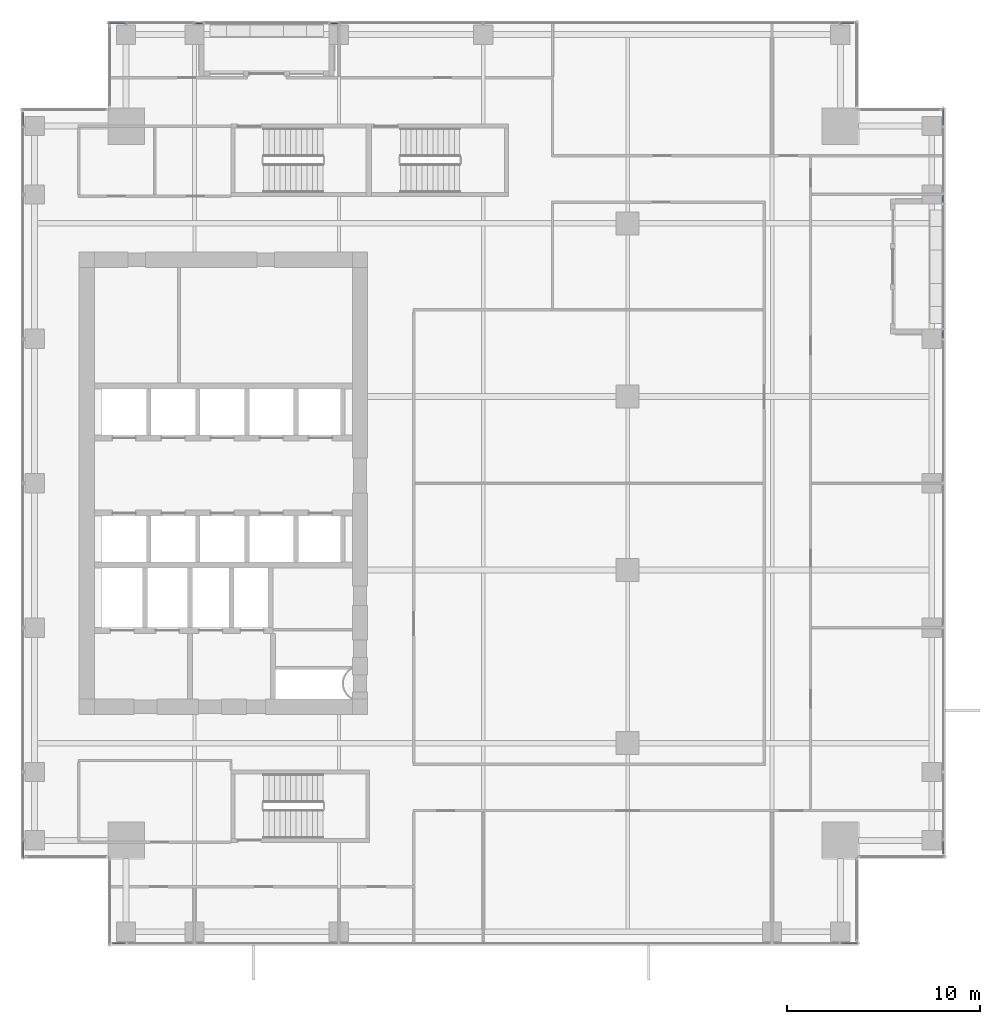
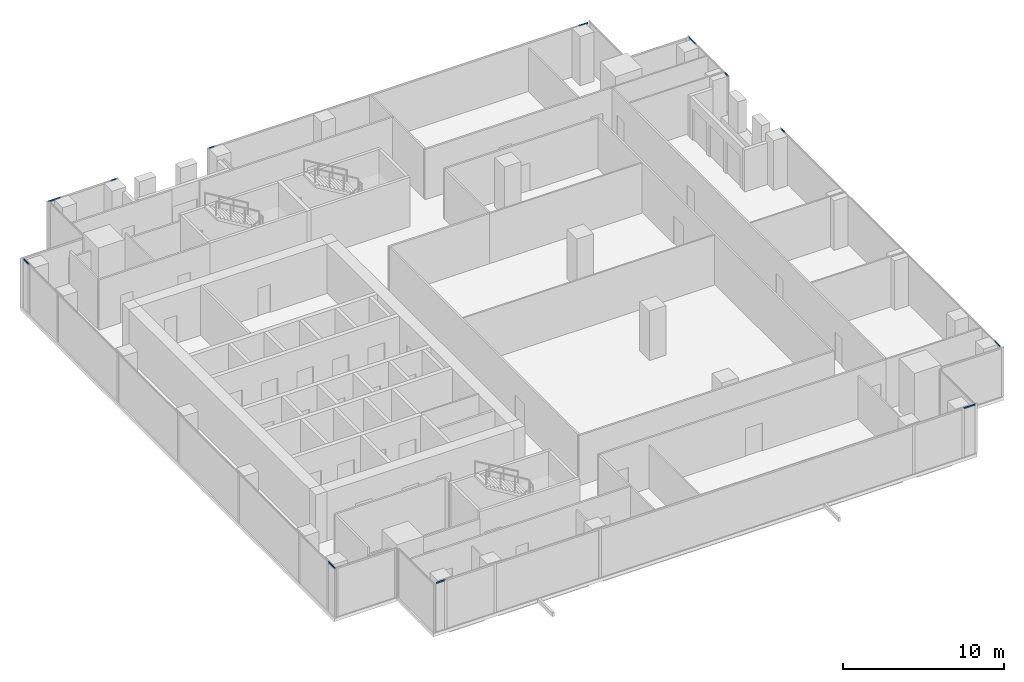
# One storey, part 28 of 40: 12 members, 6 elements without a shape of their own.
"""IFC4 building model written with IfcOpenShell, lengths in metres."""

from ifc_helpers import new_model, si_unit, direction, frame, origin, origin_2d, place, context, subcontext, project, spatial, hollow_rectangle, extrude, source, transform, mapped, material, material_profile, profile_set, type_object, element, aggregate, save


model = new_model("IFC4")

# Units and contexts
model_context = context("Model", 3, precision=1e-05, world=origin(), true_north=direction((0.0, 1.0)))
body_context = subcontext(model_context, "Body", "Model", "MODEL_VIEW")
ifc_project = project(units=[si_unit("LENGTHUNIT", "METRE"), si_unit("AREAUNIT", "SQUARE_METRE"), si_unit("VOLUMEUNIT", "CUBIC_METRE"), si_unit("PLANEANGLEUNIT", "RADIAN"), si_unit("MASSUNIT", "GRAM", prefix="KILO")], contexts=[model_context])

# Site, building, storey
site_placement = place(None, origin())
site = spatial("IfcSite", under=ifc_project, at=site_placement, CompositionType="ELEMENT")
building_placement = place(site_placement, origin())
building = spatial("IfcBuilding", under=site, at=building_placement, Name="Khomas Fold Tower", CompositionType="ELEMENT")
storey_placement = place(building_placement, frame((0.0, 0.0, 192.699951171875)))
storey = spatial("IfcBuildingStorey", under=building, at=storey_placement, Name="L42", CompositionType="ELEMENT", Elevation=192.699951171875)

# Curtain wall, member
ifc_material_1 = material(Name="Aluminium framed double glazing", Category="aluminium")
curtain_wall_type = type_object("IfcCurtainWallType", Name="SK-Unitised clear-glass wall, office floors CW2", PredefinedType="NOTDEFINED", material=ifc_material_1)
curtain_wall_1_placement = place(storey_placement, origin())
curtain_wall_1 = element("IfcCurtainWall", 1, at=curtain_wall_1_placement, inside=storey, type_object=curtain_wall_type, Name="CW2 run L42 00-0", PredefinedType="NOTDEFINED")
ifc_material_2 = material(Name="Aluminium", Category="aluminium")
ifc_material_profile = material_profile(ifc_material_2, hollow_rectangle(XDim=0.050048828125, YDim=0.110107421875, WallThickness=0.00390625, at=origin_2d()), Name="SK-Unitised clear-glass wall, office floors transom CW2-T")
ifc_profile_set = profile_set([ifc_material_profile], Name="Aluminium")
member_type = type_object("IfcMemberType", Name="SK-Unitised clear-glass wall, office floors transom CW2-T", PredefinedType="USERDEFINED", material=ifc_profile_set)
shared_shape_1 = source(origin(), body_context, "Body", "SweptSolid", [
    extrude(hollow_rectangle(XDim=0.050048828125, YDim=0.110107421875, WallThickness=0.00390625, at=origin_2d()), origin(), (0.0, 0.0, 1.0), 0.659912109375),
])
member_1_placement = place(storey_placement, frame((7.760009765625, 3.10009765625, 3.695068359375), z_axis=(1.0, 0.0, 0.0), x_axis=(0.0, 1.0, 0.0)))
member_1 = element("IfcMember", 2, at=member_1_placement, type_object=member_type, Name="CW2 transom 1", ObjectType="TRANSOM", PredefinedType="USERDEFINED", context=body_context, shape_type="MappedRepresentation", body=[
    mapped(shared_shape_1, transform((0.0, 0.0, 0.0))),
])

curtain_wall_2_placement = place(storey_placement, origin())
curtain_wall_2 = element("IfcCurtainWall", 3, at=curtain_wall_2_placement, inside=storey, type_object=curtain_wall_type, Name="CW2 run L42 03-0", PredefinedType="NOTDEFINED")
member_2_placement = place(storey_placement, frame((50.89990234375, 7.760009765625, 3.695068359375), z_axis=(0.0, 1.0, 0.0), x_axis=(-1.0, 0.0, 0.0)))
member_2 = element("IfcMember", 4, at=member_2_placement, type_object=member_type, Name="CW2 transom 1", ObjectType="TRANSOM", PredefinedType="USERDEFINED", context=body_context, shape_type="MappedRepresentation", body=[
    mapped(shared_shape_1, transform((0.0, 0.0, 0.0))),
])

curtain_wall_3_placement = place(storey_placement, origin())
curtain_wall_3 = element("IfcCurtainWall", 5, at=curtain_wall_3_placement, inside=storey, type_object=curtain_wall_type, Name="CW2 run L42 06-0", PredefinedType="NOTDEFINED")
member_3_placement = place(storey_placement, frame((46.239990234375, 50.89990234375, 3.695068359375), z_axis=(-1.0, 0.0, 0.0), x_axis=(0.0, -1.0, 0.0)))
member_3 = element("IfcMember", 6, at=member_3_placement, type_object=member_type, Name="CW2 transom 1", ObjectType="TRANSOM", PredefinedType="USERDEFINED", context=body_context, shape_type="MappedRepresentation", body=[
    mapped(shared_shape_1, transform((0.0, 0.0, 0.0))),
])

curtain_wall_4_placement = place(storey_placement, origin())
curtain_wall_4 = element("IfcCurtainWall", 7, at=curtain_wall_4_placement, inside=storey, type_object=curtain_wall_type, Name="CW2 run L42 09-0", PredefinedType="NOTDEFINED")
member_4_placement = place(storey_placement, frame((3.10009765625, 46.239990234375, 3.695068359375), z_axis=(0.0, -1.0, 0.0), x_axis=(1.0, 0.0, 0.0)))
member_4 = element("IfcMember", 8, at=member_4_placement, type_object=member_type, Name="CW2 transom 1", ObjectType="TRANSOM", PredefinedType="USERDEFINED", context=body_context, shape_type="MappedRepresentation", body=[
    mapped(shared_shape_1, transform((0.0, 0.0, 0.0))),
])

# Member
shared_shape_2 = source(origin(), body_context, "Body", "SweptSolid", [
    extrude(hollow_rectangle(XDim=0.050048828125, YDim=0.110107421875, WallThickness=0.00390625, at=origin_2d()), origin(), (0.0, 0.0, 1.0), 0.409912109375),
])
member_5_placement = place(storey_placement, frame((50.89990234375, 34.530029296875, 3.695068359375), z_axis=(0.0, 1.0, 0.0), x_axis=(-1.0, 0.0, 0.0)))
member_5 = element("IfcMember", 9, at=member_5_placement, type_object=member_type, Name="CW2 transom 6", ObjectType="TRANSOM", PredefinedType="USERDEFINED", context=body_context, shape_type="MappedRepresentation", body=[
    mapped(shared_shape_2, transform((0.0, 0.0, 0.0))),
])

aggregate(curtain_wall_2, [member_2, member_5])

# Curtain wall, member
curtain_wall_5_placement = place(storey_placement, origin())
curtain_wall_5 = element("IfcCurtainWall", 10, at=curtain_wall_5_placement, inside=storey, type_object=curtain_wall_type, Name="CW2 run L42 03-1", PredefinedType="NOTDEFINED")
member_6_placement = place(storey_placement, frame((50.89990234375, 41.56005859375, 3.695068359375), z_axis=(0.0, 1.0, 0.0), x_axis=(-1.0, 0.0, 0.0)))
member_6 = element("IfcMember", 11, at=member_6_placement, type_object=member_type, Name="CW2 transom 1", ObjectType="TRANSOM", PredefinedType="USERDEFINED", context=body_context, shape_type="MappedRepresentation", body=[
    mapped(shared_shape_2, transform((0.0, 0.0, 0.0))),
])

# Member
member_7_placement = place(storey_placement, frame((19.469970703125, 50.89990234375, 3.695068359375), z_axis=(-1.0, 0.0, 0.0), x_axis=(0.0, -1.0, 0.0)))
member_7 = element("IfcMember", 12, at=member_7_placement, type_object=member_type, Name="CW2 transom 4", ObjectType="TRANSOM", PredefinedType="USERDEFINED", context=body_context, shape_type="MappedRepresentation", body=[
    mapped(shared_shape_2, transform((0.0, 0.0, 0.0))),
])

aggregate(curtain_wall_3, [member_3, member_7])

# Curtain wall, member
curtain_wall_6_placement = place(storey_placement, origin())
curtain_wall_6 = element("IfcCurtainWall", 13, at=curtain_wall_6_placement, inside=storey, type_object=curtain_wall_type, Name="CW2 run L42 06-1", PredefinedType="NOTDEFINED")
member_8_placement = place(storey_placement, frame((12.43994140625, 50.89990234375, 3.695068359375), z_axis=(-1.0, 0.0, 0.0), x_axis=(0.0, -1.0, 0.0)))
member_8 = element("IfcMember", 14, at=member_8_placement, type_object=member_type, Name="CW2 transom 1", ObjectType="TRANSOM", PredefinedType="USERDEFINED", context=body_context, shape_type="MappedRepresentation", body=[
    mapped(shared_shape_2, transform((0.0, 0.0, 0.0))),
])

# Member
shared_shape_3 = source(origin(), body_context, "Body", "SweptSolid", [
    extrude(hollow_rectangle(XDim=0.050048828125, YDim=0.110107421875, WallThickness=0.00390625, at=origin_2d()), origin(), (0.0, 0.0, 1.0), 0.85986328125),
])
member_9_placement = place(storey_placement, frame((45.580078125, 3.10009765625, 3.695068359375), z_axis=(1.0, 0.0, 0.0), x_axis=(0.0, 1.0, 0.0)))
member_9 = element("IfcMember", 15, at=member_9_placement, type_object=member_type, Name="CW2 transom 6", ObjectType="TRANSOM", PredefinedType="USERDEFINED", context=body_context, shape_type="MappedRepresentation", body=[
    mapped(shared_shape_3, transform((0.0, 0.0, 0.0))),
])

aggregate(curtain_wall_1, [member_1, member_9])

member_10_placement = place(storey_placement, frame((50.89990234375, 45.580078125, 3.695068359375), z_axis=(0.0, 1.0, 0.0), x_axis=(-1.0, 0.0, 0.0)))
member_10 = element("IfcMember", 16, at=member_10_placement, type_object=member_type, Name="CW2 transom 3", ObjectType="TRANSOM", PredefinedType="USERDEFINED", context=body_context, shape_type="MappedRepresentation", body=[
    mapped(shared_shape_3, transform((0.0, 0.0, 0.0))),
])

aggregate(curtain_wall_5, [member_6, member_10])

member_11_placement = place(storey_placement, frame((8.419921875, 50.89990234375, 3.695068359375), z_axis=(-1.0, 0.0, 0.0), x_axis=(0.0, -1.0, 0.0)))
member_11 = element("IfcMember", 17, at=member_11_placement, type_object=member_type, Name="CW2 transom 3", ObjectType="TRANSOM", PredefinedType="USERDEFINED", context=body_context, shape_type="MappedRepresentation", body=[
    mapped(shared_shape_3, transform((0.0, 0.0, 0.0))),
])

aggregate(curtain_wall_6, [member_8, member_11])

member_12_placement = place(storey_placement, frame((3.10009765625, 8.419921875, 3.695068359375), z_axis=(0.0, -1.0, 0.0), x_axis=(1.0, 0.0, 0.0)))
member_12 = element("IfcMember", 18, at=member_12_placement, type_object=member_type, Name="CW2 transom 8", ObjectType="TRANSOM", PredefinedType="USERDEFINED", context=body_context, shape_type="MappedRepresentation", body=[
    mapped(shared_shape_3, transform((0.0, 0.0, 0.0))),
])

aggregate(curtain_wall_4, [member_4, member_12])

save(model, "model.ifc")
